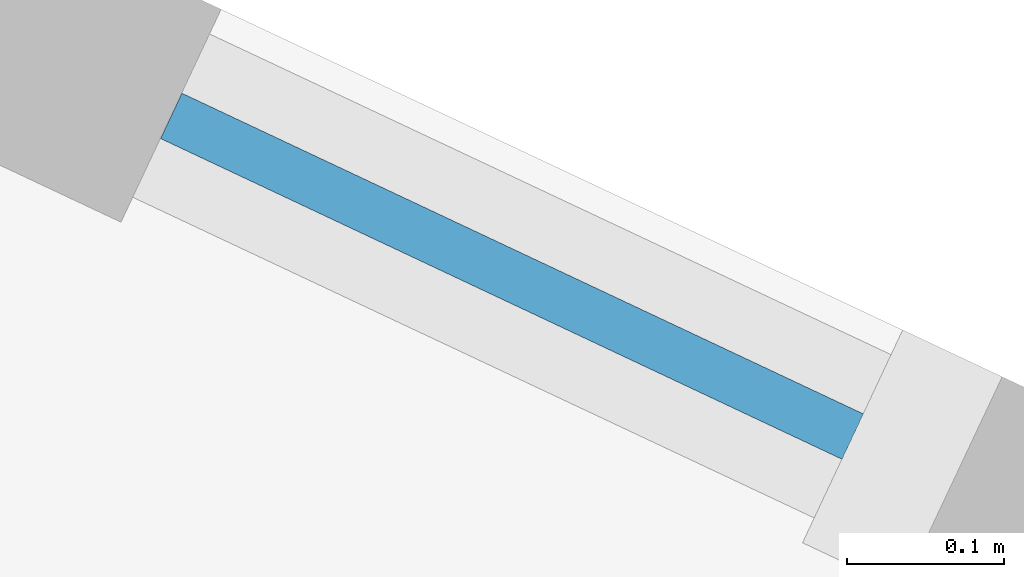
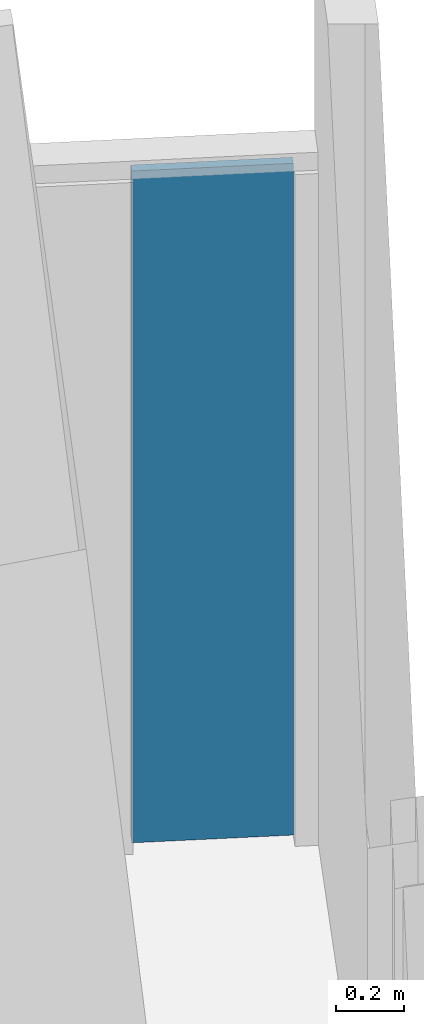
# One storey, part 17 of 26: 1 plate, 1 element without a shape of its own.
"""IFC4 building model written with IfcOpenShell, lengths in metres."""

import ifcopenshell
import ifcopenshell.guid

model = None  # the IFC model being written
_history = None  # IfcOwnerHistory: only IFC2X3 demands one
_inside = {}  # id of a spatial element -> (the spatial element, [elements in it])
_under = {}  # id of a project, library or spatial element -> (it, [spatial elements below it])
_declared = {}  # id of a project -> (the project, [libraries it declares])
_typed = {}  # id of a type object -> (the type object, [elements of that type])
_made_of = {}  # id of a material, layer set ... -> (it, [elements and type objects made of it])


def new_model(schema):
    """Start an empty IFC model of exactly this schema.

    Asked for "IFC4X3", IfcOpenShell would pick the latest addendum, in which some entities
    have other attributes; the version numbers below select the first issue.
    IFC2X3 requires an IfcOwnerHistory on every rooted entity: one is made here for all.
    """
    global model, _history
    if schema == "IFC4X3":
        model = ifcopenshell.file(schema_version=(4, 3, 0, 0))
    else:
        model = ifcopenshell.file(schema=schema)
    _inside.clear()
    _under.clear()
    _declared.clear()
    _typed.clear()
    _made_of.clear()
    _history = None
    if model.schema == "IFC2X3":
        org = make("IfcOrganization", Name="unknown")
        user = make(
            "IfcPersonAndOrganization",
            ThePerson=make("IfcPerson", FamilyName="unknown"),
            TheOrganization=org,
        )
        app = make(
            "IfcApplication",
            ApplicationDeveloper=org,
            Version="unknown",
            ApplicationFullName="unknown",
            ApplicationIdentifier="unknown",
        )
        _history = make(
            "IfcOwnerHistory",
            OwningUser=user,
            OwningApplication=app,
            ChangeAction="ADDED",
            CreationDate=0,
        )
    return model


def make(cls, **values):
    """One entity of the class cls with the attributes given. An attribute that is None is left unset."""
    return model.create_entity(
        cls, **{name: value for name, value in values.items() if value is not None}
    )


def rooted(cls, **values):
    """An entity with a GlobalId (a new one), such as an element, a storey or a relation."""
    return make(cls, GlobalId=ifcopenshell.guid.new(), OwnerHistory=_history, **values)


def si_unit(unit_type, name, prefix=None):
    """IfcSIUnit, for example si_unit("LENGTHUNIT", "METRE", prefix="MILLI")."""
    return make("IfcSIUnit", UnitType=unit_type, Prefix=prefix, Name=name)


def assignment(units):
    """IfcUnitAssignment: the units of a project."""
    return None if units is None else make("IfcUnitAssignment", Units=units)


def point(xyz):
    """IfcCartesianPoint."""
    return None if xyz is None else make("IfcCartesianPoint", Coordinates=xyz)


def direction(xyz):
    """IfcDirection."""
    return None if xyz is None else make("IfcDirection", DirectionRatios=xyz)


def frame(location, z_axis=None, x_axis=None):
    """IfcAxis2Placement3D, a coordinate frame: its origin and axes. An axis left out is left unset."""
    return make(
        "IfcAxis2Placement3D",
        Location=point(location),
        Axis=direction(z_axis),
        RefDirection=direction(x_axis),
    )


def frame_2d(location, x_axis=None):
    """IfcAxis2Placement2D, a coordinate frame in the plane: its origin and x axis."""
    return make(
        "IfcAxis2Placement2D", Location=point(location), RefDirection=direction(x_axis)
    )


def origin():
    """The frame at (0, 0, 0) with its axes left unset."""
    return frame((0.0, 0.0, 0.0))


def origin_2d():
    """The frame at (0, 0) in the plane with its x axis left unset."""
    return frame_2d((0.0, 0.0))


def place(relative_to, where):
    """IfcLocalPlacement: puts the frame where relative to a parent placement (None: the world)."""
    return make(
        "IfcLocalPlacement", PlacementRelTo=relative_to, RelativePlacement=where
    )


def context(
    kind, dimensions, precision=None, world=None, true_north=None, identifier=None
):
    """IfcGeometricRepresentationContext, for example the 3D "Model" context."""
    return make(
        "IfcGeometricRepresentationContext",
        ContextIdentifier=identifier,
        ContextType=kind,
        CoordinateSpaceDimension=dimensions,
        Precision=precision,
        WorldCoordinateSystem=world,
        TrueNorth=true_north,
    )


def subcontext(parent, identifier, kind, view, scale=None):
    """IfcGeometricRepresentationSubContext, for example "Body" below "Model"."""
    return make(
        "IfcGeometricRepresentationSubContext",
        ContextIdentifier=identifier,
        ContextType=kind,
        ParentContext=parent,
        TargetScale=scale,
        TargetView=view,
    )


def project(units=None, contexts=None):
    """IfcProject with its units and contexts."""
    return rooted(
        "IfcProject",
        Name="project",
        RepresentationContexts=contexts,
        UnitsInContext=assignment(units),
    )


def spatial(cls, under=None, at=None, **own):
    """A site, building, storey or space (cls), placed at a placement, below another one or the project."""
    s = rooted(cls, ObjectPlacement=at, **own)
    if under is not None:
        _under.setdefault(under.id(), (under, []))[1].append(s)
    return s


def profile(cls, at=None, kind="AREA", **sizes):
    """A parametric profile (cls). Its sizes go by their IFC names, for example OverallWidth=200.0."""
    return make(cls, ProfileType=kind, Position=at, **sizes)


def rectangle(**sizes):
    """IfcRectangleProfileDef."""
    return profile("IfcRectangleProfileDef", **sizes)


def extrude(swept, where, along, depth):
    """IfcExtrudedAreaSolid: the profile swept, set in the frame where, extruded along a direction by depth."""
    return make(
        "IfcExtrudedAreaSolid",
        SweptArea=swept,
        Position=where,
        ExtrudedDirection=direction(along),
        Depth=depth,
    )


def shape(context_of_items, identifier, shape_type, items):
    """IfcShapeRepresentation: the items that make up one representation, for example the "Body"."""
    return make(
        "IfcShapeRepresentation",
        ContextOfItems=context_of_items,
        RepresentationIdentifier=identifier,
        RepresentationType=shape_type,
        Items=items,
    )


def material(Name=None, Category=None):
    """IfcMaterial."""
    return make("IfcMaterial", Name=Name, Category=Category)


def layer(
    of_material, thickness, ventilated=None, Name=None, Category=None, Priority=None
):
    """IfcMaterialLayer: one layer of a wall or slab, of a material (None: an air gap)."""
    return make(
        "IfcMaterialLayer",
        Material=of_material,
        LayerThickness=thickness,
        IsVentilated=ventilated,
        Name=Name,
        Category=Category,
        Priority=Priority,
    )


def layer_set(layers, Name=None):
    """IfcMaterialLayerSet."""
    return make("IfcMaterialLayerSet", MaterialLayers=layers, LayerSetName=Name)


def made_of(thing, what):
    """Note that an element or type object is made of a material, layer set ...; save() writes the relation."""
    if what is not None:
        _made_of.setdefault(what.id(), (what, []))[1].append(thing)
    return thing


def type_object(cls, material=None, **own):
    """A type object (cls), such as IfcWallType, which elements share."""
    return made_of(rooted(cls, **own), material)


def element(
    cls,
    number,
    at=None,
    inside=None,
    cuts=None,
    type_object=None,
    material=None,
    context=None,
    identifier="Body",
    shape_type=None,
    held_by="IfcProductDefinitionShape",
    body=None,
    shapes=None,
    **own,
):
    """One element of the class cls, such as IfcWall. Its Tag is "e" and its number.

    at: its placement. inside: the storey or other place that contains it. cuts: it is an
    opening in that element (IfcRelVoidsElement). A single representation is given by context,
    identifier, shape_type and body (its items); several are given by shapes. held_by: the class
    of the entity that holds the representations. save() writes the other relations.
    """
    e = rooted(cls, Tag="e%d" % number, ObjectPlacement=at, **own)
    if body is not None:
        shapes = [shape(context, identifier, shape_type, body)]
    if shapes is not None:
        e.Representation = make(held_by, Representations=shapes)
    if inside is not None:
        _inside.setdefault(inside.id(), (inside, []))[1].append(e)
    if cuts is not None:
        rooted(
            "IfcRelVoidsElement", RelatingBuildingElement=cuts, RelatedOpeningElement=e
        )
    if type_object is not None:
        _typed.setdefault(type_object.id(), (type_object, []))[1].append(e)
    return made_of(e, material)


def aggregate(whole, parts):
    """IfcRelAggregates: a whole, such as a stair, and the parts it consists of."""
    return rooted("IfcRelAggregates", RelatingObject=whole, RelatedObjects=parts)


def save(model, path):
    """Write the relations noted so far, then the file.

    IfcRelAggregates (storeys below a building ...), IfcRelContainedInSpatialStructure (elements
    in a storey), IfcRelDefinesByType, IfcRelAssociatesMaterial and IfcRelDeclares: one each for
    every whole, place, type object, material and project.
    """
    for whole, parts in _under.values():
        aggregate(whole, parts)
    for where, things in _inside.values():
        rooted(
            "IfcRelContainedInSpatialStructure",
            RelatedElements=things,
            RelatingStructure=where,
        )
    for kind, things in _typed.values():
        rooted("IfcRelDefinesByType", RelatedObjects=things, RelatingType=kind)
    for what, things in _made_of.values():
        rooted("IfcRelAssociatesMaterial", RelatedObjects=things, RelatingMaterial=what)
    for by, libraries in _declared.values():
        rooted("IfcRelDeclares", RelatingContext=by, RelatedDefinitions=libraries)
    model.write(path)


model = new_model("IFC4")

# Units and contexts
model_context = context("Model", 3, precision=1e-05, world=origin(), true_north=direction((0.0, 1.0)))
body_context = subcontext(model_context, "Body", "Model", "MODEL_VIEW")
ifc_project = project(units=[si_unit("LENGTHUNIT", "METRE"), si_unit("AREAUNIT", "SQUARE_METRE"), si_unit("VOLUMEUNIT", "CUBIC_METRE"), si_unit("PLANEANGLEUNIT", "RADIAN"), si_unit("MASSUNIT", "GRAM", prefix="KILO")], contexts=[model_context])

# Site, building, storey
site_placement = place(None, origin())
site = spatial("IfcSite", under=ifc_project, at=site_placement, CompositionType="ELEMENT")
building_placement = place(site_placement, origin())
building = spatial("IfcBuilding", under=site, at=building_placement, Name="Verdalira Terraces Hotel", CompositionType="ELEMENT")
storey_placement = place(building_placement, frame((0.0, 0.0, 53.0)))
storey = spatial("IfcBuildingStorey", under=building, at=storey_placement, Name="L11", CompositionType="ELEMENT", Elevation=53.0)

# Curtain wall, plate
ifc_material_1 = material(Name="Clear glass", Category="glass")
ifc_layer_1 = layer(ifc_material_1, 0.14990234375)
ifc_layer_set_1 = layer_set([ifc_layer_1], Name="CW2 curtain wall")
curtain_wall_type = type_object("IfcCurtainWallType", Name="CW2 curtain wall", PredefinedType="NOTDEFINED", material=ifc_layer_set_1)
curtain_wall_placement = place(storey_placement, origin())
curtain_wall = element("IfcCurtainWall", 1, at=curtain_wall_placement, inside=storey, type_object=curtain_wall_type, Name="CW2 curtain wall L11 edge 38", PredefinedType="NOTDEFINED")
ifc_material_2 = material(Name="Clear glass", Category="glass")
ifc_layer_2 = layer(ifc_material_2, 0.031982421875)
ifc_layer_set_2 = layer_set([ifc_layer_2], Name="CW2 glass unit 32")
plate_type = type_object("IfcPlateType", Name="CW2 glass unit 32", PredefinedType="CURTAIN_PANEL", material=ifc_layer_set_2)
plate_placement = place(storey_placement, frame((33.799316, -8.803955, 0.0), z_axis=(0.0, 0.0, 1.0), x_axis=(-0.904827052, 0.425779292, 0.0)))
plate = element("IfcPlate", 2, at=plate_placement, type_object=plate_type, Name="CW2 glass unit", PredefinedType="CURTAIN_PANEL", context=body_context, shape_type="SweptSolid", body=[
    extrude(rectangle(XDim=0.47998, YDim=0.031982, at=origin_2d()), origin(), (0.0, 0.0, 1.0), 2.425049),
])
aggregate(curtain_wall, [plate])

save(model, "model.ifc")
